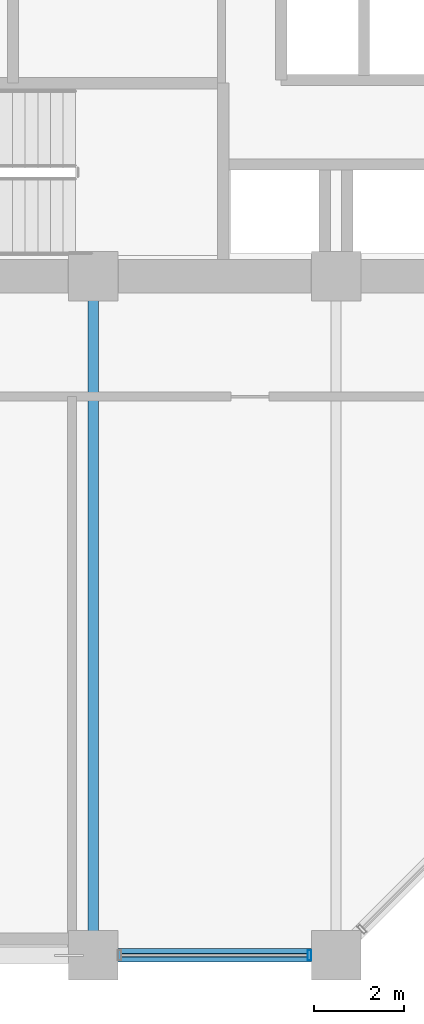
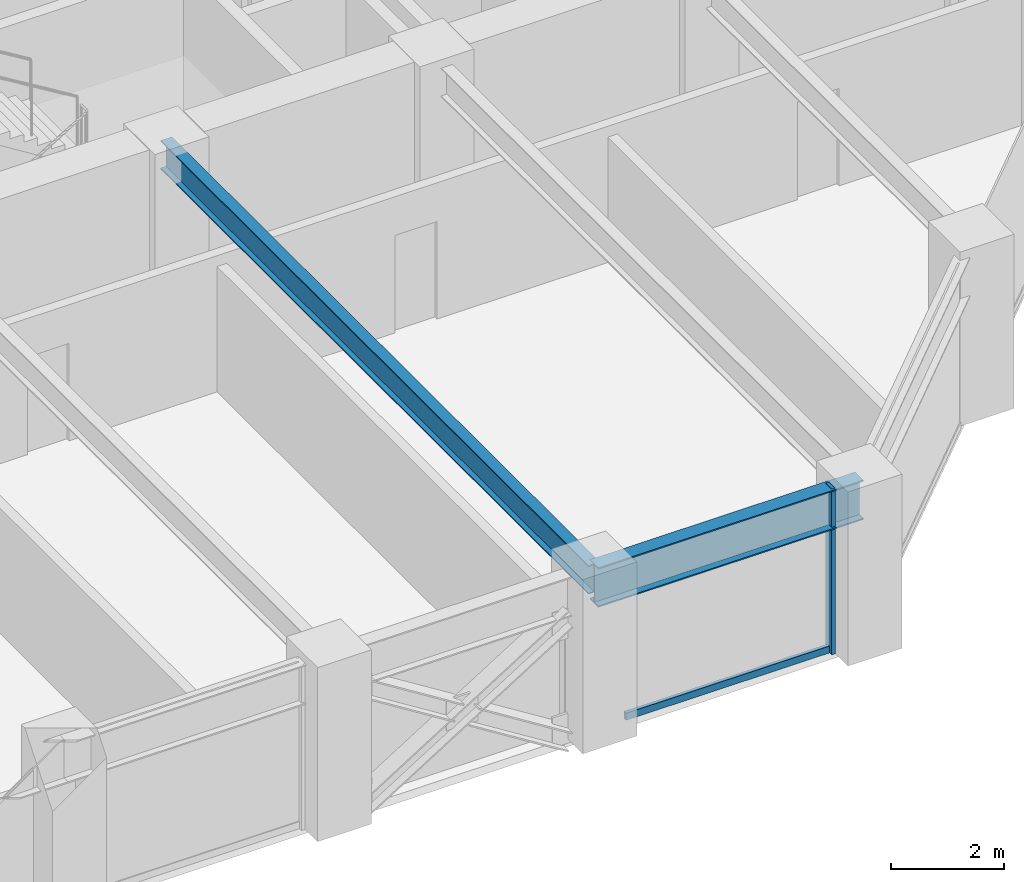
# One storey, part 5 of 25: 2 beams, 2 members, 1 element without a shape of its own.
"""IFC4 building model written with IfcOpenShell, lengths in metres."""

from ifc_helpers import new_model, si_unit, direction, frame, origin, origin_2d, place, context, subcontext, project, spatial, hollow_rectangle, i_section, extrude, material, layer, layer_set, material_profile, profile_set, type_object, element, aggregate, save


model = new_model("IFC4")

# Units and contexts
model_context = context("Model", 3, precision=1e-05, world=origin(), true_north=direction((0.0, 1.0)))
body_context = subcontext(model_context, "Body", "Model", "MODEL_VIEW")
ifc_project = project(units=[si_unit("LENGTHUNIT", "METRE"), si_unit("AREAUNIT", "SQUARE_METRE"), si_unit("VOLUMEUNIT", "CUBIC_METRE"), si_unit("PLANEANGLEUNIT", "RADIAN"), si_unit("MASSUNIT", "GRAM", prefix="KILO")], contexts=[model_context])

# Site, building, storey
site_placement = place(None, origin())
site = spatial("IfcSite", under=ifc_project, at=site_placement, CompositionType="ELEMENT")
building_placement = place(site_placement, origin())
building = spatial("IfcBuilding", under=site, at=building_placement, Name="Surkhivell Harbour Commons", CompositionType="ELEMENT")
storey_placement = place(building_placement, frame((0.0, 0.0, 124.5)))
storey = spatial("IfcBuildingStorey", under=building, at=storey_placement, Name="L32", CompositionType="ELEMENT", Elevation=124.5)

# Beams
ifc_material_1 = material(Name="Steel S355", Category="steel")
ifc_material_profile_1 = material_profile(ifc_material_1, i_section(OverallWidth=0.22998046875, OverallDepth=0.616943359375, WebThickness=0.01318359375, FlangeThickness=0.022216796875, at=origin_2d()), Name="UB610x229x140")
ifc_profile_set_1 = profile_set([ifc_material_profile_1], Name="Steel S355")
beam_type_1 = type_object("IfcBeamType", Name="BM-GRD-610B", PredefinedType="BEAM", material=ifc_profile_set_1)
beam_1_placement = place(storey_placement, frame((-5.39990234375, -25.89990234375, 3.261474609375), z_axis=(0.0, 1.0, 0.0), x_axis=(-1.0, 0.0, 0.0)))
element("IfcBeam", 1, at=beam_1_placement, inside=storey, type_object=beam_type_1, Name="L32 Floor Girder (-5.4,-25.9)", PredefinedType="BEAM", context=body_context, shape_type="SweptSolid", body=[
    extrude(i_section(OverallWidth=0.22998046875, OverallDepth=0.616943359375, WebThickness=0.01318359375, FlangeThickness=0.022216796875, at=origin_2d()), origin(), (0.0, 0.0, 1.0), 15.099853515625),
])
ifc_material_2 = material(Name="Steel S460", Category="steel")
ifc_material_profile_2 = material_profile(ifc_material_2, i_section(OverallWidth=0.2939453125, OverallDepth=0.85107421875, WebThickness=0.01611328125, FlangeThickness=0.02685546875, at=origin_2d()), Name="UB838x292x226")
ifc_profile_set_2 = profile_set([ifc_material_profile_2], Name="Steel S460")
beam_type_2 = type_object("IfcBeamType", Name="BM-SPN-838", PredefinedType="SPANDREL", material=ifc_profile_set_2)
beam_2_placement = place(storey_placement, frame((-5.39990234375, -25.89990234375, 3.14453125), z_axis=(1.0, 0.0, 0.0), x_axis=(0.0, 1.0, 0.0)))
element("IfcBeam", 2, at=beam_2_placement, inside=storey, type_object=beam_type_2, Name="L32 Tube Spandrel (-5.4,-25.9)", PredefinedType="SPANDREL", context=body_context, shape_type="SweptSolid", body=[
    extrude(i_section(OverallWidth=0.2939453125, OverallDepth=0.85107421875, WebThickness=0.01611328125, FlangeThickness=0.02685546875, at=origin_2d()), origin(), (0.0, 0.0, 1.0), 5.39990234375),
])

# Curtain wall, members
ifc_material_3 = material(Name="Anodised pale-metal aluminium and insulated glazing", Category="aluminium")
ifc_layer = layer(ifc_material_3, 0.205078125)
ifc_layer_set = layer_set([ifc_layer], Name="Anodised pale-metal aluminium and insulated glazing")
curtain_wall_type = type_object("IfcCurtainWallType", Name="CW-SYS-Z2", PredefinedType="NOTDEFINED", material=ifc_layer_set)
curtain_wall_placement = place(storey_placement, origin())
curtain_wall = element("IfcCurtainWall", 3, at=curtain_wall_placement, inside=storey, type_object=curtain_wall_type, Name="L32 Curtain Wall CW-L32-E00S2", PredefinedType="NOTDEFINED")
ifc_material_4 = material(Name="Anodised pale-metal aluminium alloy 6063-T6", Category="aluminium")
ifc_material_profile_3 = material_profile(ifc_material_4, hollow_rectangle(XDim=0.074951171875, YDim=0.219970703125, WallThickness=0.00390625, at=origin_2d()), Name="ALU-MULL-75x220")
ifc_profile_set_3 = profile_set([ifc_material_profile_3], Name="Anodised pale-metal aluminium alloy 6063-T6")
member_type_1 = type_object("IfcMemberType", Name="CWM-220", PredefinedType="MULLION", material=ifc_profile_set_3)
member_1_placement = place(storey_placement, frame((-0.589599609375, -25.89990234375, 0.0), z_axis=(0.0, 0.0, 1.0), x_axis=(1.0, 0.0, 0.0)))
member_1 = element("IfcMember", 4, at=member_1_placement, type_object=member_type_1, Name="CW-Z2 mullion 2", PredefinedType="MULLION", context=body_context, shape_type="SweptSolid", body=[
    extrude(hollow_rectangle(XDim=0.074951171875, YDim=0.219970703125, WallThickness=0.00390625, at=origin_2d()), origin(), (0.0, 0.0, 1.0), 3.570068359375),
])
ifc_material_profile_4 = material_profile(ifc_material_4, hollow_rectangle(XDim=0.074951171875, YDim=0.14990234375, WallThickness=0.00341796875, at=origin_2d()), Name="ALU-TRAN-75x150")
ifc_profile_set_4 = profile_set([ifc_material_profile_4], Name="Anodised pale-metal aluminium alloy 6063-T6")
member_type_2 = type_object("IfcMemberType", Name="CWT-150", PredefinedType="USERDEFINED", material=ifc_profile_set_4)
member_2_placement = place(storey_placement, frame((-4.77294921875, -25.89990234375, 0.074951171875), z_axis=(1.0, 0.0, 0.0), x_axis=(0.0, 1.0, 0.0)))
member_2 = element("IfcMember", 5, at=member_2_placement, type_object=member_type_2, Name="CW-Z2 transom 1.1", ObjectType="TRANSOM", PredefinedType="USERDEFINED", context=body_context, shape_type="SweptSolid", body=[
    extrude(hollow_rectangle(XDim=0.074951171875, YDim=0.14990234375, WallThickness=0.00341796875, at=origin_2d()), origin(), (0.0, 0.0, 1.0), 4.14599609375),
])
aggregate(curtain_wall, [member_1, member_2])

save(model, "model.ifc")
